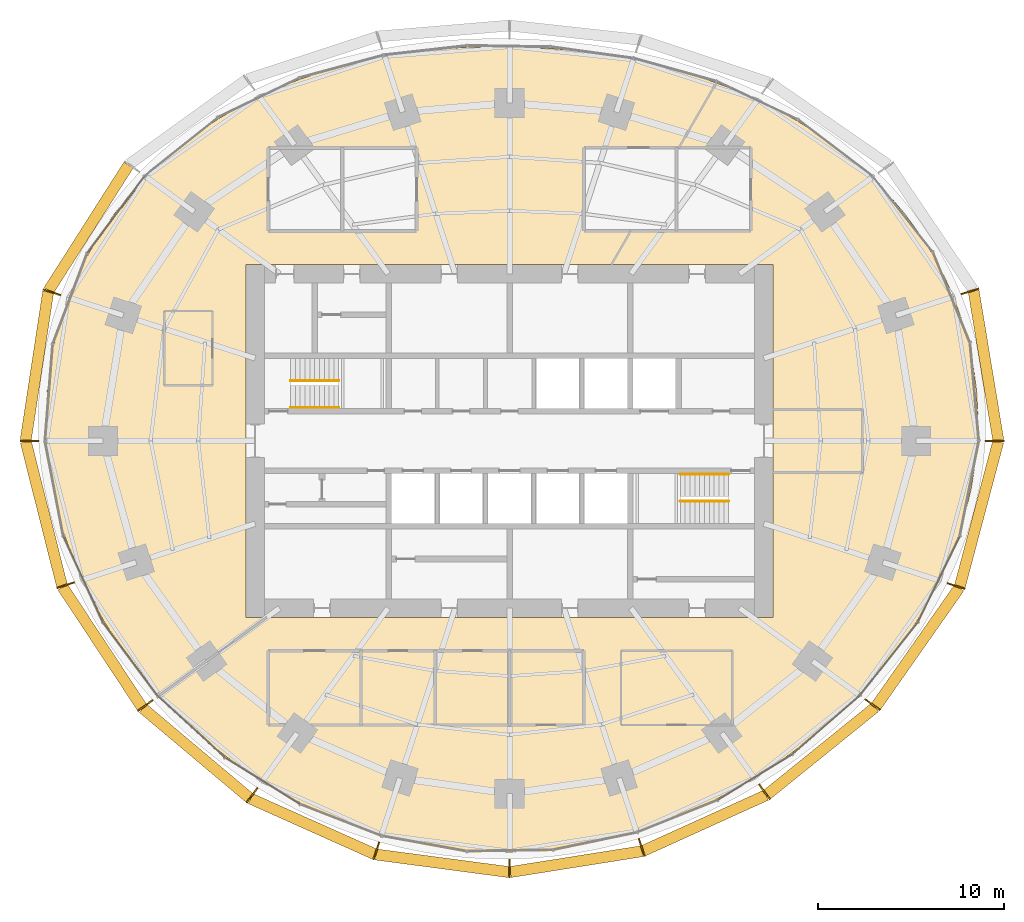
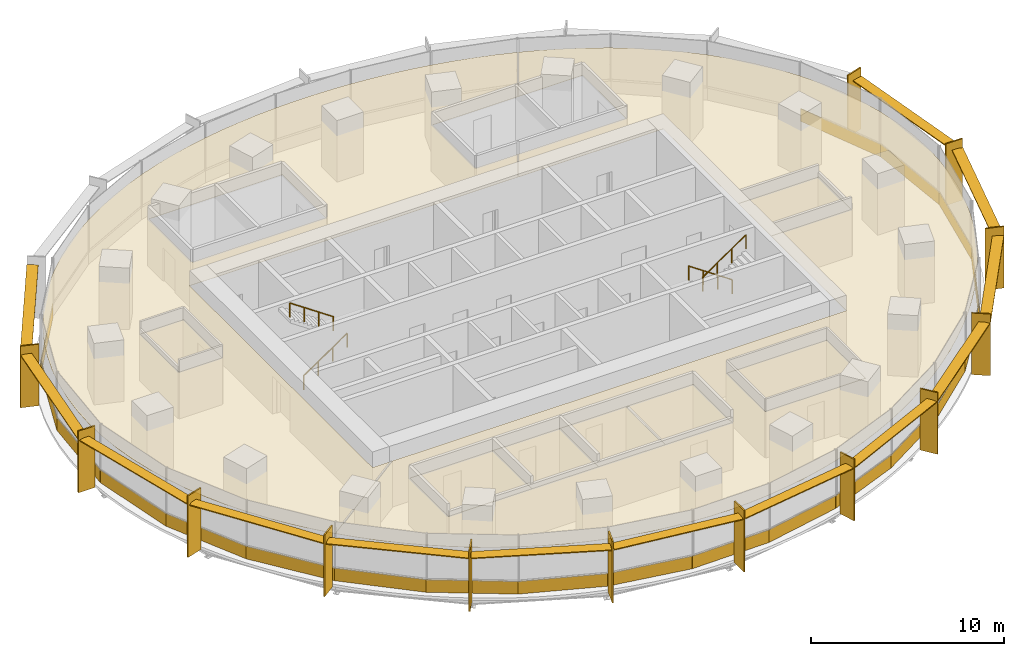
# One storey, part 13 of 14: 29 coverings, 26 shading devices, 4 railings.
"""IFC4 building model written with IfcOpenShell, lengths in metres."""

from ifc_helpers import new_model, si_unit, direction, frame, origin, origin_2d, place, context, subcontext, project, spatial, polyline, rectangle, circle, outline, extrude, material, layer, layer_set, type_object, element, save


model = new_model("IFC4")

# Units and contexts
model_context = context("Model", 3, precision=1e-05, world=origin(), true_north=direction((0.0, 1.0)))
body_context = subcontext(model_context, "Body", "Model", "MODEL_VIEW")
ifc_project = project(units=[si_unit("LENGTHUNIT", "METRE"), si_unit("AREAUNIT", "SQUARE_METRE"), si_unit("VOLUMEUNIT", "CUBIC_METRE"), si_unit("PLANEANGLEUNIT", "RADIAN"), si_unit("MASSUNIT", "GRAM", prefix="KILO")], contexts=[model_context])

# Site, building, storey
site_placement = place(None, origin())
site = spatial("IfcSite", under=ifc_project, at=site_placement, CompositionType="ELEMENT")
building_placement = place(site_placement, origin())
building = spatial("IfcBuilding", under=site, at=building_placement, Name="Marramba Exchange Tower", CompositionType="ELEMENT")
storey_placement = place(building_placement, frame((0.0, 0.0, 135.300048828125)))
storey = spatial("IfcBuildingStorey", under=building, at=storey_placement, Name="L32", CompositionType="ELEMENT", Elevation=135.300048828125)

# Shading devices
ifc_material_1 = material(Name="Aluminium blade, timber-look bronze finish", Category="wood")
ifc_layer_1 = layer(ifc_material_1, 0.080078125)
ifc_layer_set_1 = layer_set([ifc_layer_1], Name="Floor-edge blade 1000x80")
shading_device_type_1 = type_object("IfcShadingDeviceType", Name="Floor-edge blade 1000x80", PredefinedType="USERDEFINED", material=ifc_layer_set_1)
for number, where, z_axis, x_axis, name in (
    (1, (26.132080078125, 0.0, -0.159912109375), (0.0, 0.0, 1.0), (1.0, 0.0, 0.0), "Floor-edge blade FB1 L32 TC01"),
    (2, (24.798583984375, 8.0576171875, -0.159912109375), (0.0, 0.0, 1.0), (0.951056516295, 0.309016994375, 0.0), "Floor-edge blade FB1 L32 TC02"),
    (3, (-24.653076171875, 8.01025390625, -0.159912109375), (0.0, 0.0, 1.0), (-0.951056516295, 0.309016994375, 0.0), "Floor-edge blade FB1 L32 TC10"),
    (4, (-25.867919921875, 0.0, -0.159912109375), (0.0, 0.0, 1.0), (-1.0, 0.0, 0.0), "Floor-edge blade FB1 L32 TC11"),
    (5, (-23.90673828125, -7.767822265625, -0.159912109375), (0.0, 0.0, 1.0), (-0.951056516295, -0.309016994375, 0.0), "Floor-edge blade FB1 L32 TC12"),
    (6, (-19.618408203125, -14.253662109375, -0.159912109375), (0.0, 0.0, 1.0), (-0.809016994375, -0.587785252292, 0.0), "Floor-edge blade FB1 L32 TC13"),
    (7, (-13.866943359375, -19.08642578125, -0.159912109375), (0.0, 0.0, 1.0), (-0.587785252292, -0.809016994375, 0.0), "Floor-edge blade FB1 L32 TC14"),
    (8, (-7.173828125, -22.078857421875, -0.159912109375), (0.0, 0.0, 1.0), (-0.309016994375, -0.951056516295, 0.0), "Floor-edge blade FB1 L32 TC15"),
    (9, (0.0, -23.02685546875, -0.159912109375), (0.0, 0.0, 1.0), (0.0, -1.0, 0.0), "Floor-edge blade FB1 L32 TC16"),
    (10, (7.115966796875, -21.900634765625, -0.159912109375), (0.0, 0.0, 1.0), (0.309016994375, -0.951056516295, 0.0), "Floor-edge blade FB1 L32 TC17"),
    (11, (13.733154296875, -18.902099609375, -0.159912109375), (0.0, 0.0, 1.0), (0.587785252292, -0.809016994375, 0.0), "Floor-edge blade FB1 L32 TC18"),
    (12, (19.555908203125, -14.208251953125, -0.159912109375), (0.0, 0.0, 1.0), (0.809016994375, -0.587785252292, 0.0), "Floor-edge blade FB1 L32 TC19"),
    (13, (24.052001953125, -7.81494140625, -0.159912109375), (0.0, 0.0, 1.0), (0.951056516295, -0.309016994375, 0.0), "Floor-edge blade FB1 L32 TC20"),
):
    element("IfcShadingDevice", number, at=place(storey_placement, frame(where, z_axis=z_axis, x_axis=x_axis)), inside=storey, type_object=shading_device_type_1, Name=name, ObjectType="FIN", PredefinedType="USERDEFINED", context=body_context, shape_type="SweptSolid", body=[
        extrude(rectangle(XDim=1.0, YDim=0.080078125, at=origin_2d()), origin(), (0.0, 0.0, 1.0), 3.89990234375),
    ])
ifc_material_2 = material(Name="Aluminium sunshade, bronze anodised", Category="aluminium")
ifc_layer_2 = layer(ifc_material_2, 0.06005859375)
ifc_layer_set_2 = layer_set([ifc_layer_2], Name="SUNSHADE blade 600x60")
shading_device_type_2 = type_object("IfcShadingDeviceType", Name="SUNSHADE blade 600x60", PredefinedType="USERDEFINED", material=ifc_layer_set_2)
shading_device_1_placement = place(storey_placement, frame((25.660400390625, 4.0595703125, 3.159912109375), z_axis=(0.0, 0.0, 1.0), x_axis=(-0.163227675764, 0.986588427798, 0.0)))
element("IfcShadingDevice", 14, at=shading_device_1_placement, inside=storey, type_object=shading_device_type_2, Name="Sunshade SS1 L32 bay 01", ObjectType="SUNSHADE", PredefinedType="USERDEFINED", context=body_context, shape_type="SweptSolid", body=[
    extrude(rectangle(XDim=8.149658203125, YDim=0.60009765625, at=origin_2d()), origin(), (0.0, 0.0, 1.0), 0.06005859375),
])
shading_device_2_placement = place(storey_placement, frame((-22.6708984375, 11.482421875, 3.159912109375), z_axis=(0.0, 0.0, 1.0), x_axis=(-0.537284770546, -0.843400898351, 0.0)))
element("IfcShadingDevice", 15, at=shading_device_2_placement, inside=storey, type_object=shading_device_type_2, Name="Sunshade SS1 L32 bay 09", ObjectType="SUNSHADE", PredefinedType="USERDEFINED", context=body_context, shape_type="SweptSolid", body=[
    extrude(rectangle(XDim=8.007080078125, YDim=0.60009765625, at=origin_2d()), origin(), (0.0, 0.0, 1.0), 0.06005859375),
])
shading_device_3_placement = place(storey_placement, frame((-25.455810546875, 4.0361328125, 3.159912109375), z_axis=(0.0, 0.0, 1.0), x_axis=(-0.14999307077, -0.988687047918, 0.0)))
element("IfcShadingDevice", 16, at=shading_device_3_placement, inside=storey, type_object=shading_device_type_2, Name="Sunshade SS1 L32 bay 10", ObjectType="SUNSHADE", PredefinedType="USERDEFINED", context=body_context, shape_type="SweptSolid", body=[
    extrude(rectangle(XDim=8.08447265625, YDim=0.60009765625, at=origin_2d()), origin(), (0.0, 0.0, 1.0), 0.06005859375),
])
shading_device_4_placement = place(storey_placement, frame((-25.08251953125, -3.914794921875, 3.159912109375), z_axis=(0.0, 0.0, 1.0), x_axis=(0.244116522902, -0.969745906537, 0.0)))
element("IfcShadingDevice", 17, at=shading_device_4_placement, inside=storey, type_object=shading_device_type_2, Name="Sunshade SS1 L32 bay 11", ObjectType="SUNSHADE", PredefinedType="USERDEFINED", context=body_context, shape_type="SweptSolid", body=[
    extrude(rectangle(XDim=7.993896484375, YDim=0.60009765625, at=origin_2d()), origin(), (0.0, 0.0, 1.0), 0.06005859375),
])
shading_device_5_placement = place(storey_placement, frame((-21.938720703125, -11.100341796875, 3.159912109375), z_axis=(0.0, 0.0, 1.0), x_axis=(0.550792342935, -0.834642315585, 0.0)))
element("IfcShadingDevice", 18, at=shading_device_5_placement, inside=storey, type_object=shading_device_type_2, Name="Sunshade SS1 L32 bay 12", ObjectType="SUNSHADE", PredefinedType="USERDEFINED", context=body_context, shape_type="SweptSolid", body=[
    extrude(rectangle(XDim=7.757568359375, YDim=0.60009765625, at=origin_2d()), origin(), (0.0, 0.0, 1.0), 0.06005859375),
])
shading_device_6_placement = place(storey_placement, frame((-16.88232421875, -16.8095703125, 3.159912109375), z_axis=(0.0, 0.0, 1.0), x_axis=(0.76513863304, -0.643865569998, 0.0)))
element("IfcShadingDevice", 19, at=shading_device_6_placement, inside=storey, type_object=shading_device_type_2, Name="Sunshade SS1 L32 bay 13", ObjectType="SUNSHADE", PredefinedType="USERDEFINED", context=body_context, shape_type="SweptSolid", body=[
    extrude(rectangle(XDim=7.49462890625, YDim=0.60009765625, at=origin_2d()), origin(), (0.0, 0.0, 1.0), 0.06005859375),
])
shading_device_7_placement = place(storey_placement, frame((-10.610107421875, -20.758544921875, 3.159912109375), z_axis=(0.0, 0.0, 1.0), x_axis=(0.912735880581, -0.408550134377, 0.0)))
element("IfcShadingDevice", 20, at=shading_device_7_placement, inside=storey, type_object=shading_device_type_2, Name="Sunshade SS1 L32 bay 14", ObjectType="SUNSHADE", PredefinedType="USERDEFINED", context=body_context, shape_type="SweptSolid", body=[
    extrude(rectangle(XDim=7.314208984375, YDim=0.60009765625, at=origin_2d()), origin(), (0.0, 0.0, 1.0), 0.06005859375),
])
shading_device_8_placement = place(storey_placement, frame((-3.617919921875, -22.748046875, 3.159912109375), z_axis=(0.0, 0.0, 1.0), x_axis=(0.991350478855, -0.131241106646, 0.0)))
element("IfcShadingDevice", 21, at=shading_device_8_placement, inside=storey, type_object=shading_device_type_2, Name="Sunshade SS1 L32 bay 15", ObjectType="SUNSHADE", PredefinedType="USERDEFINED", context=body_context, shape_type="SweptSolid", body=[
    extrude(rectangle(XDim=7.21875, YDim=0.60009765625, at=origin_2d()), origin(), (0.0, 0.0, 1.0), 0.06005859375),
])
shading_device_9_placement = place(storey_placement, frame((3.5888671875, -22.658935546875, 3.159912109375), z_axis=(0.0, 0.0, 1.0), x_axis=(0.987704817912, 0.15633039587, 0.0)))
element("IfcShadingDevice", 22, at=shading_device_9_placement, inside=storey, type_object=shading_device_type_2, Name="Sunshade SS1 L32 bay 16", ObjectType="SUNSHADE", PredefinedType="USERDEFINED", context=body_context, shape_type="SweptSolid", body=[
    extrude(rectangle(XDim=7.18701171875, YDim=0.60009765625, at=origin_2d()), origin(), (0.0, 0.0, 1.0), 0.06005859375),
])
shading_device_10_placement = place(storey_placement, frame((10.514404296875, -20.577392578125, 3.159912109375), z_axis=(0.0, 0.0, 1.0), x_axis=(0.910692240548, 0.413085515366, 0.0)))
element("IfcShadingDevice", 23, at=shading_device_10_placement, inside=storey, type_object=shading_device_type_2, Name="Sunshade SS1 L32 bay 17", ObjectType="SUNSHADE", PredefinedType="USERDEFINED", context=body_context, shape_type="SweptSolid", body=[
    extrude(rectangle(XDim=7.24755859375, YDim=0.60009765625, at=origin_2d()), origin(), (0.0, 0.0, 1.0), 0.06005859375),
])
shading_device_11_placement = place(storey_placement, frame((16.7841796875, -16.69482421875, 3.159912109375), z_axis=(0.0, 0.0, 1.0), x_axis=(0.777962439436, 0.628310785223, 0.0)))
element("IfcShadingDevice", 24, at=shading_device_11_placement, inside=storey, type_object=shading_device_type_2, Name="Sunshade SS1 L32 bay 18", ObjectType="SUNSHADE", PredefinedType="USERDEFINED", context=body_context, shape_type="SweptSolid", body=[
    extrude(rectangle(XDim=7.46142578125, YDim=0.60009765625, at=origin_2d()), origin(), (0.0, 0.0, 1.0), 0.06005859375),
])
shading_device_12_placement = place(storey_placement, frame((21.97998046875, -11.101318359375, 3.159912109375), z_axis=(0.0, 0.0, 1.0), x_axis=(0.574350885858, 0.818609222959, 0.0)))
element("IfcShadingDevice", 25, at=shading_device_12_placement, inside=storey, type_object=shading_device_type_2, Name="Sunshade SS1 L32 bay 19", ObjectType="SUNSHADE", PredefinedType="USERDEFINED", context=body_context, shape_type="SweptSolid", body=[
    extrude(rectangle(XDim=7.7978515625, YDim=0.60009765625, at=origin_2d()), origin(), (0.0, 0.0, 1.0), 0.06005859375),
])
shading_device_13_placement = place(storey_placement, frame((25.287109375, -3.9384765625, 3.159912109375), z_axis=(0.0, 0.0, 1.0), x_axis=(0.256422950151, 0.966564674833, 0.0)))
element("IfcShadingDevice", 26, at=shading_device_13_placement, inside=storey, type_object=shading_device_type_2, Name="Sunshade SS1 L32 bay 20", ObjectType="SUNSHADE", PredefinedType="USERDEFINED", context=body_context, shape_type="SweptSolid", body=[
    extrude(rectangle(XDim=8.0693359375, YDim=0.60009765625, at=origin_2d()), origin(), (0.0, 0.0, 1.0), 0.06005859375),
])

# Coverings
ifc_material_3 = material(Name="Aluminium spandrel panel, bronze anodised, insulated", Category="aluminium")
ifc_layer_3 = layer(ifc_material_3, 0.050048828125)
ifc_layer_set_3 = layer_set([ifc_layer_3], Name="Spandrel panel 800")
covering_type_1 = type_object("IfcCoveringType", Name="Spandrel panel 800", PredefinedType="CLADDING", material=ifc_layer_set_3)
covering_1_placement = place(storey_placement, frame((25.04541015625, 2.63671875, 0.0), z_axis=(0.0, 0.0, 1.0), x_axis=(-0.089412890131, 0.995994646109, 0.0)))
element("IfcCovering", 27, at=covering_1_placement, inside=storey, type_object=covering_type_1, Name="Spandrel panel SP1 L32 F01", PredefinedType="CLADDING", context=body_context, shape_type="SweptSolid", body=[
    extrude(rectangle(XDim=5.29443359375, YDim=0.050048828125, at=origin_2d()), origin(), (0.0, 0.0, 1.0), 0.800048828125),
])
covering_2_placement = place(storey_placement, frame((23.81201171875, 7.715576171875, 0.0), z_axis=(0.0, 0.0, 1.0), x_axis=(-0.377821185272, 0.925878583811, 0.0)))
element("IfcCovering", 28, at=covering_2_placement, inside=storey, type_object=covering_type_1, Name="Spandrel panel SP1 L32 F02", PredefinedType="CLADDING", context=body_context, shape_type="SweptSolid", body=[
    extrude(rectangle(XDim=5.27587890625, YDim=0.050048828125, at=origin_2d()), origin(), (0.0, 0.0, 1.0), 0.800048828125),
])
covering_3_placement = place(storey_placement, frame((-21.19580078125, 12.20068359375, 0.0), z_axis=(0.0, 0.0, 1.0), x_axis=(-0.597703998161, -0.801716864349, 0.0)))
element("IfcCovering", 29, at=covering_3_placement, inside=storey, type_object=covering_type_1, Name="Spandrel panel SP1 L32 F13", PredefinedType="CLADDING", context=body_context, shape_type="SweptSolid", body=[
    extrude(rectangle(XDim=5.17626953125, YDim=0.050048828125, at=origin_2d()), origin(), (0.0, 0.0, 1.0), 0.800048828125),
])
covering_4_placement = place(storey_placement, frame((-23.671875, 7.677490234375, 0.0), z_axis=(0.0, 0.0, 1.0), x_axis=(-0.354844476365, -0.934925343326, 0.0)))
element("IfcCovering", 30, at=covering_4_placement, inside=storey, type_object=covering_type_1, Name="Spandrel panel SP1 L32 F14", PredefinedType="CLADDING", context=body_context, shape_type="SweptSolid", body=[
    extrude(rectangle(XDim=5.2373046875, YDim=0.050048828125, at=origin_2d()), origin(), (0.0, 0.0, 1.0), 0.800048828125),
])
covering_5_placement = place(storey_placement, frame((-24.8095703125, 2.614501953125, 0.0), z_axis=(0.0, 0.0, 1.0), x_axis=(-0.079459700697, -0.996838079111, 0.0)))
element("IfcCovering", 31, at=covering_5_placement, inside=storey, type_object=covering_type_1, Name="Spandrel panel SP1 L32 F15", PredefinedType="CLADDING", context=body_context, shape_type="SweptSolid", body=[
    extrude(rectangle(XDim=5.245849609375, YDim=0.050048828125, at=origin_2d()), origin(), (0.0, 0.0, 1.0), 0.800048828125),
])
covering_6_placement = place(storey_placement, frame((-24.5283203125, -2.5546875, 0.0), z_axis=(0.0, 0.0, 1.0), x_axis=(0.188227222909, -0.982125507538, 0.0)))
element("IfcCovering", 32, at=covering_6_placement, inside=storey, type_object=covering_type_1, Name="Spandrel panel SP1 L32 F16", PredefinedType="CLADDING", context=body_context, shape_type="SweptSolid", body=[
    extrude(rectangle(XDim=5.20263671875, YDim=0.050048828125, at=origin_2d()), origin(), (0.0, 0.0, 1.0), 0.800048828125),
])
covering_7_placement = place(storey_placement, frame((-22.973876953125, -7.43212890625, 0.0), z_axis=(0.0, 0.0, 1.0), x_axis=(0.416737850896, -0.909026712275, 0.0)))
element("IfcCovering", 33, at=covering_7_placement, inside=storey, type_object=covering_type_1, Name="Spandrel panel SP1 L32 F17", PredefinedType="CLADDING", context=body_context, shape_type="SweptSolid", body=[
    extrude(rectangle(XDim=5.10986328125, YDim=0.050048828125, at=origin_2d()), origin(), (0.0, 0.0, 1.0), 0.800048828125),
])
covering_8_placement = place(storey_placement, frame((-20.419921875, -11.75439453125, 0.0), z_axis=(0.0, 0.0, 1.0), x_axis=(0.597304701232, -0.802014397555, 0.0)))
element("IfcCovering", 34, at=covering_8_placement, inside=storey, type_object=covering_type_1, Name="Spandrel panel SP1 L32 F18", PredefinedType="CLADDING", context=body_context, shape_type="SweptSolid", body=[
    extrude(rectangle(XDim=4.986572265625, YDim=0.050048828125, at=origin_2d()), origin(), (0.0, 0.0, 1.0), 0.800048828125),
])
covering_9_placement = place(storey_placement, frame((-17.135986328125, -15.39599609375, 0.0), z_axis=(0.0, 0.0, 1.0), x_axis=(0.737821889246, -0.674995451651, 0.0)))
element("IfcCovering", 35, at=covering_9_placement, inside=storey, type_object=covering_type_1, Name="Spandrel panel SP1 L32 F19", PredefinedType="CLADDING", context=body_context, shape_type="SweptSolid", body=[
    extrude(rectangle(XDim=4.865234375, YDim=0.050048828125, at=origin_2d()), origin(), (0.0, 0.0, 1.0), 0.800048828125),
])
covering_10_placement = place(storey_placement, frame((-13.31787109375, -18.300537109375, 0.0), z_axis=(0.0, 0.0, 1.0), x_axis=(0.848354599309, -0.529428440708, 0.0)))
element("IfcCovering", 36, at=covering_10_placement, inside=storey, type_object=covering_type_1, Name="Spandrel panel SP1 L32 F20", PredefinedType="CLADDING", context=body_context, shape_type="SweptSolid", body=[
    extrude(rectangle(XDim=4.76953125, YDim=0.050048828125, at=origin_2d()), origin(), (0.0, 0.0, 1.0), 0.800048828125),
])
covering_11_placement = place(storey_placement, frame((-9.10302734375, -20.416748046875, 0.0), z_axis=(0.0, 0.0, 1.0), x_axis=(0.931818387481, -0.362924913381, 0.0)))
element("IfcCovering", 37, at=covering_11_placement, inside=storey, type_object=covering_type_1, Name="Spandrel panel SP1 L32 F21", PredefinedType="CLADDING", context=body_context, shape_type="SweptSolid", body=[
    extrude(rectangle(XDim=4.704345703125, YDim=0.050048828125, at=origin_2d()), origin(), (0.0, 0.0, 1.0), 0.800048828125),
])
covering_12_placement = place(storey_placement, frame((-4.616943359375, -21.685302734375, 0.0), z_axis=(0.0, 0.0, 1.0), x_axis=(0.984031866928, -0.177992373069, 0.0)))
element("IfcCovering", 38, at=covering_12_placement, inside=storey, type_object=covering_type_1, Name="Spandrel panel SP1 L32 F22", PredefinedType="CLADDING", context=body_context, shape_type="SweptSolid", body=[
    extrude(rectangle(XDim=4.662841796875, YDim=0.050048828125, at=origin_2d()), origin(), (0.0, 0.0, 1.0), 0.800048828125),
])
covering_13_placement = place(storey_placement, frame((-0.003662109375, -22.065185546875, 0.0), z_axis=(0.0, 0.0, 1.0), x_axis=(0.999884797651, 0.015178650325, 0.0)))
element("IfcCovering", 39, at=covering_13_placement, inside=storey, type_object=covering_type_1, Name="Spandrel panel SP1 L32 F23", PredefinedType="CLADDING", context=body_context, shape_type="SweptSolid", body=[
    extrude(rectangle(XDim=4.638916015625, YDim=0.050048828125, at=origin_2d()), origin(), (0.0, 0.0, 1.0), 0.800048828125),
])
covering_14_placement = place(storey_placement, frame((4.58447265625, -21.56103515625, 0.0), z_axis=(0.0, 0.0, 1.0), x_axis=(0.979310200528, 0.202364846604, 0.0)))
element("IfcCovering", 40, at=covering_14_placement, inside=storey, type_object=covering_type_1, Name="Spandrel panel SP1 L32 F24", PredefinedType="CLADDING", context=body_context, shape_type="SweptSolid", body=[
    extrude(rectangle(XDim=4.6337890625, YDim=0.050048828125, at=origin_2d()), origin(), (0.0, 0.0, 1.0), 0.800048828125),
])
covering_15_placement = place(storey_placement, frame((9.014892578125, -20.225341796875, 0.0), z_axis=(0.0, 0.0, 1.0), x_axis=(0.928148914987, 0.372209069755, 0.0)))
element("IfcCovering", 41, at=covering_15_placement, inside=storey, type_object=covering_type_1, Name="Spandrel panel SP1 L32 F25", PredefinedType="CLADDING", context=body_context, shape_type="SweptSolid", body=[
    extrude(rectangle(XDim=4.657958984375, YDim=0.050048828125, at=origin_2d()), origin(), (0.0, 0.0, 1.0), 0.800048828125),
])
covering_16_placement = place(storey_placement, frame((13.193115234375, -18.125244140625, 0.0), z_axis=(0.0, 0.0, 1.0), x_axis=(0.853109118827, 0.521732528576, 0.0)))
element("IfcCovering", 42, at=covering_16_placement, inside=storey, type_object=covering_type_1, Name="Spandrel panel SP1 L32 F26", PredefinedType="CLADDING", context=body_context, shape_type="SweptSolid", body=[
    extrude(rectangle(XDim=4.7275390625, YDim=0.050048828125, at=origin_2d()), origin(), (0.0, 0.0, 1.0), 0.800048828125),
])
covering_17_placement = place(storey_placement, frame((17.038818359375, -15.30029296875, 0.0), z_axis=(0.0, 0.0, 1.0), x_axis=(0.754385510875, 0.656431642277, 0.0)))
element("IfcCovering", 43, at=covering_17_placement, inside=storey, type_object=covering_type_1, Name="Spandrel panel SP1 L32 F27", PredefinedType="CLADDING", context=body_context, shape_type="SweptSolid", body=[
    extrude(rectangle(XDim=4.849609375, YDim=0.050048828125, at=origin_2d()), origin(), (0.0, 0.0, 1.0), 0.800048828125),
])
covering_18_placement = place(storey_placement, frame((20.425048828125, -11.747802734375, 0.0), z_axis=(0.0, 0.0, 1.0), x_axis=(0.621807470279, 0.783170141097, 0.0)))
element("IfcCovering", 44, at=covering_18_placement, inside=storey, type_object=covering_type_1, Name="Spandrel panel SP1 L32 F28", PredefinedType="CLADDING", context=body_context, shape_type="SweptSolid", body=[
    extrude(rectangle(XDim=5.00732421875, YDim=0.050048828125, at=origin_2d()), origin(), (0.0, 0.0, 1.0), 0.800048828125),
])
covering_19_placement = place(storey_placement, frame((23.114013671875, -7.47021484375, 0.0), z_axis=(0.0, 0.0, 1.0), x_axis=(0.439086346903, 0.898444867515, 0.0)))
element("IfcCovering", 45, at=covering_19_placement, inside=storey, type_object=covering_type_1, Name="Spandrel panel SP1 L32 F29", PredefinedType="CLADDING", context=body_context, shape_type="SweptSolid", body=[
    extrude(rectangle(XDim=5.156982421875, YDim=0.050048828125, at=origin_2d()), origin(), (0.0, 0.0, 1.0), 0.800048828125),
])
covering_20_placement = place(storey_placement, frame((24.76416015625, -2.576904296875, 0.0), z_axis=(0.0, 0.0, 1.0), x_axis=(0.197048514193, 0.980393738788, 0.0)))
element("IfcCovering", 46, at=covering_20_placement, inside=storey, type_object=covering_type_1, Name="Spandrel panel SP1 L32 F30", PredefinedType="CLADDING", context=body_context, shape_type="SweptSolid", body=[
    extrude(rectangle(XDim=5.2568359375, YDim=0.050048828125, at=origin_2d()), origin(), (0.0, 0.0, 1.0), 0.800048828125),
])

# Railings
ifc_material_4 = material(Name="Stainless steel handrail", Category="steel")
railing_type = type_object("IfcRailingType", Name="Stair handrail 900", PredefinedType="HANDRAIL", material=ifc_material_4)
railing_1_placement = place(storey_placement, frame((-11.800048828125, 1.800048828125, 0.17724609375)))
element("IfcRailing", 47, at=railing_1_placement, inside=storey, type_object=railing_type, Name="Handrail HR1 ST1 L32 flight 1", PredefinedType="HANDRAIL", context=body_context, shape_type="SweptSolid", body=[
    extrude(circle(Radius=0.02392578125, at=origin_2d()), frame((0.0, 0.0, 0.8759765625), z_axis=(0.826240473404, 0.0, 0.563317565952), x_axis=(0.0, 1.0, 0.0)), (0.0, 0.0, 1.0), 3.14697265625),
    extrude(circle(Radius=0.02099609375, at=origin_2d()), origin(), (0.0, 0.0, 1.0), 0.851806640625),
    extrude(circle(Radius=0.02099609375, at=origin_2d()), frame((0.86669921875, 0.0, 0.5908203125)), (0.0, 0.0, 1.0), 0.851806640625),
    extrude(circle(Radius=0.02099609375, at=origin_2d()), frame((1.7333984375, 0.0, 1.181884765625)), (0.0, 0.0, 1.0), 0.851806640625),
    extrude(circle(Radius=0.02099609375, at=origin_2d()), frame((2.60009765625, 0.0, 1.772705078125)), (0.0, 0.0, 1.0), 0.851806640625),
])
for number, where, name in (
    (48, (-9.199951171875, 3.25, 2.127197265625), "Handrail HR1 ST1 L32 flight 2"),
    (49, (11.800048828125, -1.800048828125, 0.17724609375), "Handrail HR1 ST2 L32 flight 1"),
):
    element("IfcRailing", number, at=place(storey_placement, frame(where)), inside=storey, type_object=railing_type, Name=name, PredefinedType="HANDRAIL", context=body_context, shape_type="SweptSolid", body=[
        extrude(circle(Radius=0.02392578125, at=origin_2d()), frame((0.0, 0.0, 0.8759765625), z_axis=(-0.826240473404, 0.0, 0.563317565952), x_axis=(0.0, -1.0, 0.0)), (0.0, 0.0, 1.0), 3.14697265625),
        extrude(circle(Radius=0.02099609375, at=origin_2d()), origin(), (0.0, 0.0, 1.0), 0.851806640625),
        extrude(circle(Radius=0.02099609375, at=origin_2d()), frame((-0.86669921875, 0.0, 0.5908203125)), (0.0, 0.0, 1.0), 0.851806640625),
        extrude(circle(Radius=0.02099609375, at=origin_2d()), frame((-1.7333984375, 0.0, 1.181884765625)), (0.0, 0.0, 1.0), 0.851806640625),
        extrude(circle(Radius=0.02099609375, at=origin_2d()), frame((-2.60009765625, 0.0, 1.772705078125)), (0.0, 0.0, 1.0), 0.851806640625),
    ])
railing_2_placement = place(storey_placement, frame((9.199951171875, -3.25, 2.127197265625)))
element("IfcRailing", 50, at=railing_2_placement, inside=storey, type_object=railing_type, Name="Handrail HR1 ST2 L32 flight 2", PredefinedType="HANDRAIL", context=body_context, shape_type="SweptSolid", body=[
    extrude(circle(Radius=0.02392578125, at=origin_2d()), frame((0.0, 0.0, 0.8759765625), z_axis=(0.826240473404, 0.0, 0.563317565952), x_axis=(0.0, 1.0, 0.0)), (0.0, 0.0, 1.0), 3.14697265625),
    extrude(circle(Radius=0.02099609375, at=origin_2d()), origin(), (0.0, 0.0, 1.0), 0.851806640625),
    extrude(circle(Radius=0.02099609375, at=origin_2d()), frame((0.86669921875, 0.0, 0.5908203125)), (0.0, 0.0, 1.0), 0.851806640625),
    extrude(circle(Radius=0.02099609375, at=origin_2d()), frame((1.7333984375, 0.0, 1.181884765625)), (0.0, 0.0, 1.0), 0.851806640625),
    extrude(circle(Radius=0.02099609375, at=origin_2d()), frame((2.60009765625, 0.0, 1.772705078125)), (0.0, 0.0, 1.0), 0.851806640625),
])

# Coverings
ifc_material_5 = material(Name="Mineral fibre ceiling tiles", Category="gypsum")
ifc_layer_4 = layer(ifc_material_5, 0.02001953125)
ifc_layer_set_4 = layer_set([ifc_layer_4], Name="Suspended ceiling 20")
covering_type_2 = type_object("IfcCoveringType", Name="Suspended ceiling 20", PredefinedType="CEILING", material=ifc_layer_set_4)
covering_21_placement = place(storey_placement, frame((0.0, 0.0, 2.89990234375)))
element("IfcCovering", 51, at=covering_21_placement, inside=storey, type_object=covering_type_2, Name="Ceiling CL1 L32 Software Development Office", PredefinedType="CEILING", context=body_context, shape_type="SweptSolid", body=[
    extrude(outline(polyline([(-14.199951171875, -9.5), (-13.07568359375, -9.5), (-18.865966796875, -13.706787109375), (-19.673095703125, -12.77587890625), (-20.439697265625, -11.80078125), (-21.162109375, -10.78271484375), (-21.836181640625, -9.72216796875), (-22.457763671875, -8.62060546875), (-23.022216796875, -7.48046875), (-23.52490234375, -6.303466796875), (-23.96044921875, -5.093017578125), (-24.32421875, -3.8525390625), (-24.611083984375, -2.586669921875), (-24.81689453125, -1.300537109375), (-24.93798828125, 0.0), (-24.970947265625, 1.30859375), (-24.913330078125, 2.618408203125), (-24.76416015625, 3.92236328125), (-24.52294921875, 5.21240234375), (-24.1904296875, 6.481689453125), (-23.768798828125, 7.722900390625), (-23.260498046875, 8.928955078125), (-22.669677734375, 10.09326171875), (-22.0009765625, 11.2099609375), (-21.259765625, 12.2744140625), (-20.451904296875, 13.28173828125), (-19.583984375, 14.228759765625), (-18.66259765625, 15.11279296875), (-17.6943359375, 15.93212890625), (-16.685791015625, 16.685791015625), (-15.643798828125, 17.374267578125), (-14.57421875, 17.99755859375), (-13.482666015625, 18.55712890625), (-12.37451171875, 19.05517578125), (-11.2548828125, 19.493896484375), (-10.127197265625, 19.875732421875), (-8.995361328125, 20.203857421875), (-7.862060546875, 20.4814453125), (-6.7294921875, 20.711181640625), (-5.59912109375, 20.896484375), (-4.47216796875, 21.0400390625), (-3.34912109375, 21.14453125), (-2.2294921875, 21.212158203125), (-1.11328125, 21.244384765625), (0.0, 21.2431640625), (1.111572265625, 21.208740234375), (2.22216796875, 21.1416015625), (3.332763671875, 21.041748046875), (4.444091796875, 20.907958984375), (5.556884765625, 20.739013671875), (6.671630859375, 20.533203125), (7.787841796875, 20.287841796875), (8.905029296875, 20.0009765625), (10.02197265625, 19.6689453125), (11.13671875, 19.289306640625), (9.1220703125, 15.800048828125), (9.0, 15.800048828125), (4.0, 15.800048828125), (4.0, 11.300048828125), (6.52392578125, 11.300048828125), (5.48486328125, 9.5), (-14.199951171875, 9.5), (-14.199951171875, -9.5)]), holes=[polyline([(-13.0, 11.300048828125), (-9.0, 11.300048828125), (-5.0, 11.300048828125), (-5.0, 15.800048828125), (-9.0, 15.800048828125), (-13.0, 15.800048828125), (-13.0, 11.300048828125)]), polyline([(-18.60009765625, 3.0), (-16.0, 3.0), (-16.0, 7.0), (-18.60009765625, 7.0), (-18.60009765625, 3.0)])]), origin(), (0.0, 0.0, 1.0), 0.02001953125),
])
covering_22_placement = place(storey_placement, frame((0.0, 0.0, 2.89990234375)))
element("IfcCovering", 52, at=covering_22_placement, inside=storey, type_object=covering_type_2, Name="Ceiling CL1 L32 Service Desk Office", PredefinedType="CEILING", context=body_context, shape_type="SweptSolid", body=[
    extrude(outline(polyline([(14.199951171875, -9.5), (14.199951171875, -1.699951171875), (19.0, -1.699951171875), (19.0, 1.699951171875), (14.199951171875, 1.699951171875), (14.199951171875, 9.5), (5.48486328125, 9.5), (6.52392578125, 11.300048828125), (9.0, 11.300048828125), (13.0, 11.300048828125), (13.0, 15.800048828125), (9.1220703125, 15.800048828125), (11.13671875, 19.289306640625), (12.24658203125, 18.8583984375), (13.348876953125, 18.373046875), (14.43896484375, 17.830810546875), (15.512451171875, 17.228271484375), (16.563720703125, 16.563720703125), (17.5869140625, 15.835205078125), (18.5751953125, 15.041748046875), (19.521484375, 14.18310546875), (20.4189453125, 13.26025390625), (21.259765625, 12.2744140625), (22.03662109375, 11.228271484375), (22.7421875, 10.12548828125), (23.3701171875, 8.970947265625), (23.9140625, 7.77001953125), (24.368896484375, 6.529541015625), (24.73046875, 5.256591796875), (24.99560546875, 3.958984375), (25.16259765625, 2.644775390625), (25.231201171875, 1.322265625), (25.201904296875, 0.0), (25.077392578125, -1.314208984375), (24.8603515625, -2.61279296875), (24.555419921875, -3.88916015625), (24.16796875, -5.136962890625), (23.703125, -6.351318359375), (23.16748046875, -7.527587890625), (22.5673828125, -8.662841796875), (21.90869140625, -9.75439453125), (21.197509765625, -10.80078125), (20.439697265625, -11.80078125), (19.64013671875, -12.75439453125), (18.803466796875, -13.66162109375), (17.93359375, -14.5224609375), (17.033935546875, -15.33740234375), (16.107421875, -16.107421875), (15.156005859375, -16.83251953125), (14.181884765625, -17.51318359375), (13.1865234375, -18.14990234375), (12.171142578125, -18.741943359375), (11.13671875, -19.289306640625), (10.083984375, -19.791259765625), (9.0146484375, -20.2470703125), (7.928955078125, -20.65576171875), (6.82861328125, -21.01611328125), (5.714599609375, -21.3271484375), (4.58837890625, -21.587158203125), (3.4521484375, -21.79541015625), (2.30712890625, -21.950439453125), (1.15576171875, -22.05126953125), (0.0, -22.096923828125), (-1.157470703125, -22.0869140625), (-2.314453125, -22.020751953125), (-3.468505859375, -21.898193359375), (-4.61669921875, -21.719482421875), (-5.7568359375, -21.484619140625), (-6.886474609375, -21.1943359375), (-8.00341796875, -20.84912109375), (-9.10498046875, -20.4501953125), (-10.189453125, -19.997802734375), (-11.2548828125, -19.493896484375), (-12.299072265625, -18.938720703125), (-13.3203125, -18.333984375), (-14.317138671875, -17.68017578125), (-15.28759765625, -16.978515625), (-16.229736328125, -16.229736328125), (-17.1416015625, -15.434326171875), (-18.021240234375, -14.59326171875), (-18.865966796875, -13.706787109375), (-14.729248046875, -10.701416015625), (-13.07568359375, -9.5), (14.199951171875, -9.5)]), holes=[polyline([(6.0, -11.300048828125), (6.0, -15.300048828125), (12.0, -15.300048828125), (12.0, -11.300048828125), (6.0, -11.300048828125)]), polyline([(-13.0, -15.300048828125), (-8.0, -15.300048828125), (-4.0, -15.300048828125), (0.0, -15.300048828125), (4.0, -15.300048828125), (4.0, -11.300048828125), (0.0, -11.300048828125), (-4.0, -11.300048828125), (-8.0, -11.300048828125), (-13.0, -11.300048828125), (-13.0, -15.300048828125)])]), origin(), (0.0, 0.0, 1.0), 0.02001953125),
])
covering_23_placement = place(storey_placement, frame((0.0, 0.0, 2.89990234375)))
element("IfcCovering", 53, at=covering_23_placement, inside=storey, type_object=covering_type_2, Name="Ceiling CL1 L32 Corridor", PredefinedType="CEILING", context=body_context, shape_type="SweptSolid", body=[
    extrude(outline(polyline([(14.199951171875, -1.699951171875), (14.199951171875, 1.699951171875), (19.0, 1.699951171875), (19.0, -1.699951171875), (14.199951171875, -1.699951171875)])), origin(), (0.0, 0.0, 1.0), 0.02001953125),
])
covering_24_placement = place(storey_placement, frame((0.0, 0.0, 2.89990234375)))
element("IfcCovering", 54, at=covering_24_placement, inside=storey, type_object=covering_type_2, Name="Ceiling CL1 L32 Meeting Room 3", PredefinedType="CEILING", context=body_context, shape_type="SweptSolid", body=[
    extrude(outline(polyline([(-8.0, -15.300048828125), (-13.0, -15.300048828125), (-13.0, -11.300048828125), (-8.0, -11.300048828125), (-8.0, -15.300048828125)])), origin(), (0.0, 0.0, 1.0), 0.02001953125),
])
covering_25_placement = place(storey_placement, frame((0.0, 0.0, 2.89990234375)))
element("IfcCovering", 55, at=covering_25_placement, inside=storey, type_object=covering_type_2, Name="Ceiling CL1 L32 Quiet Room 1", PredefinedType="CEILING", context=body_context, shape_type="SweptSolid", body=[
    extrude(outline(polyline([(-4.0, -15.300048828125), (-8.0, -15.300048828125), (-8.0, -11.300048828125), (-4.0, -11.300048828125), (-4.0, -15.300048828125)])), origin(), (0.0, 0.0, 1.0), 0.02001953125),
])
covering_26_placement = place(storey_placement, frame((0.0, 0.0, 2.89990234375)))
element("IfcCovering", 56, at=covering_26_placement, inside=storey, type_object=covering_type_2, Name="Ceiling CL1 L32 Quiet Room 2", PredefinedType="CEILING", context=body_context, shape_type="SweptSolid", body=[
    extrude(outline(polyline([(0.0, -15.300048828125), (-4.0, -15.300048828125), (-4.0, -11.300048828125), (0.0, -11.300048828125), (0.0, -15.300048828125)])), origin(), (0.0, 0.0, 1.0), 0.02001953125),
])
covering_27_placement = place(storey_placement, frame((0.0, 0.0, 2.89990234375)))
element("IfcCovering", 57, at=covering_27_placement, inside=storey, type_object=covering_type_2, Name="Ceiling CL1 L32 Quiet Room 3", PredefinedType="CEILING", context=body_context, shape_type="SweptSolid", body=[
    extrude(outline(polyline([(4.0, -15.300048828125), (0.0, -15.300048828125), (0.0, -11.300048828125), (4.0, -11.300048828125), (4.0, -15.300048828125)])), origin(), (0.0, 0.0, 1.0), 0.02001953125),
])
covering_28_placement = place(storey_placement, frame((0.0, 0.0, 2.89990234375)))
element("IfcCovering", 58, at=covering_28_placement, inside=storey, type_object=covering_type_2, Name="Ceiling CL1 L32 Pantry", PredefinedType="CEILING", context=body_context, shape_type="SweptSolid", body=[
    extrude(outline(polyline([(12.0, -15.300048828125), (6.0, -15.300048828125), (6.0, -11.300048828125), (12.0, -11.300048828125), (12.0, -15.300048828125)])), origin(), (0.0, 0.0, 1.0), 0.02001953125),
])
covering_29_placement = place(storey_placement, frame((0.0, 0.0, 2.89990234375)))
element("IfcCovering", 59, at=covering_29_placement, inside=storey, type_object=covering_type_2, Name="Ceiling CL1 L32 Print Room 1", PredefinedType="CEILING", context=body_context, shape_type="SweptSolid", body=[
    extrude(outline(polyline([(-16.0, 3.0), (-18.60009765625, 3.0), (-18.60009765625, 7.0), (-16.0, 7.0), (-16.0, 3.0)])), origin(), (0.0, 0.0, 1.0), 0.02001953125),
])

save(model, "model.ifc")
